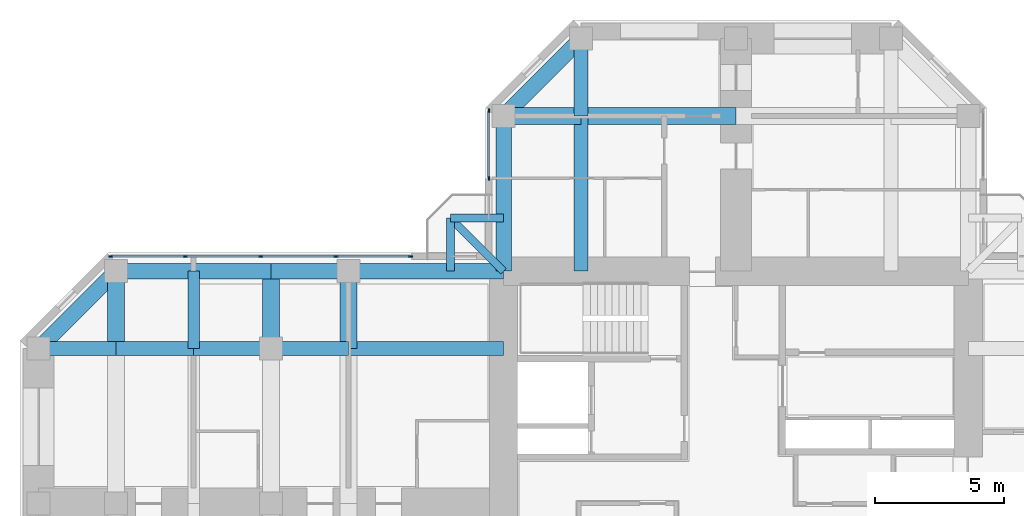
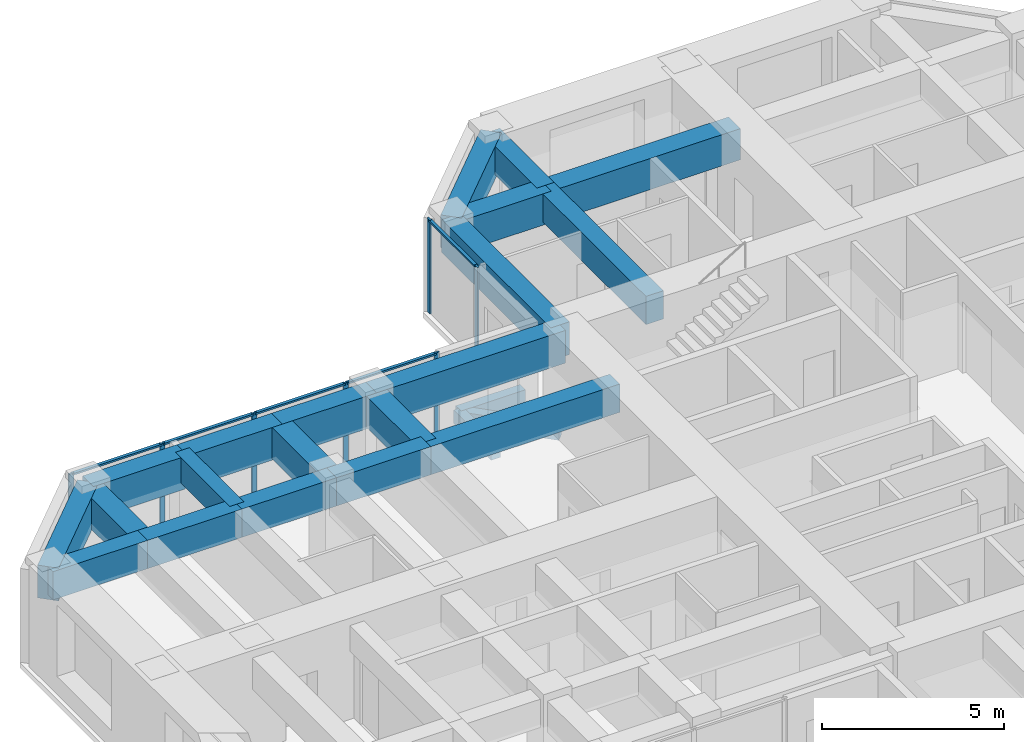
# One storey, part 5 of 14: 23 beams, 12 members, 2 elements without a shape of their own.
"""IFC4 building model written with IfcOpenShell, lengths in metres."""

from ifc_helpers import new_model, si_unit, direction, frame, origin, origin_2d, place, context, subcontext, project, spatial, rectangle, extrude, material, material_profile, profile_set, type_object, element, aggregate, save


model = new_model("IFC4")

# Units and contexts
model_context = context("Model", 3, precision=1e-05, world=origin(), true_north=direction((0.0, 1.0)))
body_context = subcontext(model_context, "Body", "Model", "MODEL_VIEW")
ifc_project = project(units=[si_unit("LENGTHUNIT", "METRE"), si_unit("AREAUNIT", "SQUARE_METRE"), si_unit("VOLUMEUNIT", "CUBIC_METRE"), si_unit("PLANEANGLEUNIT", "RADIAN"), si_unit("MASSUNIT", "GRAM", prefix="KILO")], contexts=[model_context])

# Site, building, storey
site_placement = place(None, origin())
site = spatial("IfcSite", under=ifc_project, at=site_placement, CompositionType="ELEMENT")
building_placement = place(site_placement, origin())
building = spatial("IfcBuilding", under=site, at=building_placement, Name="Torre Cruceta", CompositionType="ELEMENT")
storey_placement = place(building_placement, frame((0.0, 0.0, 213.699951171875)))
storey = spatial("IfcBuildingStorey", under=building, at=storey_placement, Name="L54", CompositionType="ELEMENT", Elevation=213.699951171875)

# Beams
ifc_material_1 = material(Name="Concrete G60 (fck 60 MPa)", Category="concrete")
ifc_material_profile_1 = material_profile(ifc_material_1, rectangle(XDim=0.300048828125, YDim=0.449951171875, at=origin_2d()), Name="RC 300X450")
ifc_profile_set_1 = profile_set([ifc_material_profile_1], Name="Concrete G60 (fck 60 MPa)")
beam_type_1 = type_object("IfcBeamType", Name="BALCONY CANTILEVER BEAM RC 300X450", PredefinedType="BEAM", material=ifc_profile_set_1)
beam_1_placement = place(storey_placement, frame((-9.0, 9.0, -0.405029296875), z_axis=(-0.707106781187, 0.707106781187, 0.0), x_axis=(-0.707106781187, -0.707106781187, 0.0)))
element("IfcBeam", 1, at=beam_1_placement, inside=storey, type_object=beam_type_1, Name="BB1 balcony beam L54 N", PredefinedType="BEAM", context=body_context, shape_type="SweptSolid", body=[
    extrude(rectangle(XDim=0.300048828125, YDim=0.449951171875, at=origin_2d()), origin(), (0.0, 0.0, 1.0), 2.89990234375),
])
for number, where, z_axis, x_axis, name in (
    (2, (-11.050537109375, 9.0, -0.405029296875), (0.0, 1.0, 0.0), (-1.0, 0.0, 0.0), "BB1 balcony edge beam L54 N-X"),
    (3, (-9.0, 11.050537109375, -0.405029296875), (-1.0, 0.0, 0.0), (0.0, -1.0, 0.0), "BB1 balcony edge beam L54 N-Y"),
):
    element("IfcBeam", number, at=place(storey_placement, frame(where, z_axis=z_axis, x_axis=x_axis)), inside=storey, type_object=beam_type_1, Name=name, PredefinedType="BEAM", context=body_context, shape_type="SweptSolid", body=[
        extrude(rectangle(XDim=0.300048828125, YDim=0.449951171875, at=origin_2d()), origin(), (0.0, 0.0, 1.0), 2.050537109375),
    ])
ifc_material_2 = material(Name="Concrete G60 (fck 60 MPa)", Category="concrete")
ifc_material_profile_2 = material_profile(ifc_material_2, rectangle(XDim=0.550048828125, YDim=0.949951171875, at=origin_2d()), Name="RC 550X950")
ifc_profile_set_2 = profile_set([ifc_material_profile_2], Name="Concrete G60 (fck 60 MPa)")
beam_type_2 = type_object("IfcBeamType", Name="COLUMN LINE BEAM RC 550X950", PredefinedType="BEAM", material=ifc_profile_set_2)
beam_2_placement = place(storey_placement, frame((-6.0, 9.0, 2.675048828125), z_axis=(0.0, 1.0, 0.0), x_axis=(-1.0, 0.0, 0.0)))
element("IfcBeam", 4, at=beam_2_placement, inside=storey, type_object=beam_type_2, Name="LB3 L54 N col+ 1", PredefinedType="BEAM", context=body_context, shape_type="SweptSolid", body=[
    extrude(rectangle(XDim=0.550048828125, YDim=0.949951171875, at=origin_2d()), origin(), (0.0, 0.0, 1.0), 6.0),
])
beam_3_placement = place(storey_placement, frame((-6.0, 15.0, 2.675048828125), z_axis=(0.0, 1.0, 0.0), x_axis=(-1.0, 0.0, 0.0)))
element("IfcBeam", 5, at=beam_3_placement, inside=storey, type_object=beam_type_2, Name="LB3 L54 N col+ 2", PredefinedType="BEAM", context=body_context, shape_type="SweptSolid", body=[
    extrude(rectangle(XDim=0.550048828125, YDim=0.949951171875, at=origin_2d()), origin(), (0.0, 0.0, 1.0), 3.0),
])
beam_4_placement = place(storey_placement, frame((-9.0, 6.0, 2.675048828125), z_axis=(-1.0, 0.0, 0.0), x_axis=(0.0, -1.0, 0.0)))
element("IfcBeam", 6, at=beam_4_placement, inside=storey, type_object=beam_type_2, Name="LB3 L54 W col- 1", PredefinedType="BEAM", context=body_context, shape_type="SweptSolid", body=[
    extrude(rectangle(XDim=0.550048828125, YDim=0.949951171875, at=origin_2d()), origin(), (0.0, 0.0, 1.0), 6.0),
])
for number, where, z_axis, x_axis, name in (
    (7, (-15.0, 6.0, 2.675048828125), (-1.0, 0.0, 0.0), (0.0, -1.0, 0.0), "LB3 L54 W col- 2"),
    (8, (-18.0, 6.0, 2.675048828125), (-1.0, 0.0, 0.0), (0.0, -1.0, 0.0), "LB3 L54 W col- 3"),
    (9, (-21.0, 6.0, 2.675048828125), (-1.0, 0.0, 0.0), (0.0, -1.0, 0.0), "LB3 L54 W col- 4"),
    (10, (-24.0, 6.0, 2.675048828125), (-1.0, 0.0, 0.0), (0.0, -1.0, 0.0), "LB3 L54 W col- 5"),
):
    element("IfcBeam", number, at=place(storey_placement, frame(where, z_axis=z_axis, x_axis=x_axis)), inside=storey, type_object=beam_type_2, Name=name, PredefinedType="BEAM", context=body_context, shape_type="SweptSolid", body=[
        extrude(rectangle(XDim=0.550048828125, YDim=0.949951171875, at=origin_2d()), origin(), (0.0, 0.0, 1.0), 3.0),
    ])
ifc_material_3 = material(Name="Concrete G60 (fck 60 MPa)", Category="concrete")
ifc_material_profile_3 = material_profile(ifc_material_3, rectangle(XDim=0.64990234375, YDim=1.050048828125, at=origin_2d()), Name="RC 650X1050")
ifc_profile_set_3 = profile_set([ifc_material_profile_3], Name="Concrete G60 (fck 60 MPa)")
beam_type_3 = type_object("IfcBeamType", Name="CROSS BEAM RC 650X1050", PredefinedType="BEAM", material=ifc_profile_set_3)
beam_5_placement = place(storey_placement, frame((0.0, 15.0, 2.625), z_axis=(-1.0, 0.0, 0.0), x_axis=(0.0, -1.0, 0.0)))
element("IfcBeam", 11, at=beam_5_placement, inside=storey, type_object=beam_type_3, Name="GB3 L54 N cross15 3", PredefinedType="BEAM", context=body_context, shape_type="SweptSolid", body=[
    extrude(rectangle(XDim=0.64990234375, YDim=1.050048828125, at=origin_2d()), origin(), (0.0, 0.0, 1.0), 6.0),
])
for number, where, z_axis, x_axis, name in (
    (12, (-6.0, 15.0, 2.625), (-1.0, 0.0, 0.0), (0.0, -1.0, 0.0), "GB3 L54 N cross15 4"),
    (13, (-15.0, 9.0, 2.625), (0.0, -1.0, 0.0), (1.0, 0.0, 0.0), "GB3 L54 W cross15 1"),
    (14, (-18.0, 9.0, 2.625), (0.0, -1.0, 0.0), (1.0, 0.0, 0.0), "GB3 L54 W cross18 1"),
    (15, (-24.0, 9.0, 2.625), (0.0, -1.0, 0.0), (1.0, 0.0, 0.0), "GB3 L54 W cross24 1"),
):
    element("IfcBeam", number, at=place(storey_placement, frame(where, z_axis=z_axis, x_axis=x_axis)), inside=storey, type_object=beam_type_3, Name=name, PredefinedType="BEAM", context=body_context, shape_type="SweptSolid", body=[
        extrude(rectangle(XDim=0.64990234375, YDim=1.050048828125, at=origin_2d()), origin(), (0.0, 0.0, 1.0), 3.0),
    ])

# Curtain wall, members
ifc_material_4 = material(Name="Aluminium unitised curtain wall", Category="aluminium")
curtain_wall_type = type_object("IfcCurtainWallType", Name="CURTAIN WALL CW-C CO-LIVING", PredefinedType="USERDEFINED", material=ifc_material_4)
curtain_wall_1_placement = place(storey_placement, origin())
curtain_wall_1 = element("IfcCurtainWall", 16, at=curtain_wall_1_placement, inside=storey, type_object=curtain_wall_type, Name="CW-C L54 N side 09", ObjectType="UNITISED", PredefinedType="USERDEFINED")
ifc_material_5 = material(Name="Aluminium mullion", Category="aluminium")
ifc_material_profile_4 = material_profile(ifc_material_5, rectangle(XDim=0.06005859375, YDim=0.159912109375, at=origin_2d()), Name="AL 60X160")
ifc_profile_set_4 = profile_set([ifc_material_profile_4], Name="Aluminium mullion")
member_type_1 = type_object("IfcMemberType", Name="CW-C MULLION 60X160", PredefinedType="MULLION", material=ifc_profile_set_4)
member_1_placement = place(storey_placement, frame((-9.570068359375, 15.2060546875, 0.0), z_axis=(0.0, 0.0, 1.0), x_axis=(1.0, 0.0, 0.0)))
member_1 = element("IfcMember", 17, at=member_1_placement, type_object=member_type_1, Name="CW-C mullion 1", PredefinedType="MULLION", context=body_context, shape_type="SweptSolid", body=[
    extrude(rectangle(XDim=0.06005859375, YDim=0.159912109375, at=origin_2d()), origin(), (0.0, 0.0, 1.0), 3.150146484375),
])
member_2_placement = place(storey_placement, frame((-9.570068359375, 12.60009765625, 0.0), z_axis=(0.0, 0.0, 1.0), x_axis=(1.0, 0.0, 0.0)))
member_2 = element("IfcMember", 18, at=member_2_placement, type_object=member_type_1, Name="CW-C mullion 2", PredefinedType="MULLION", context=body_context, shape_type="SweptSolid", body=[
    extrude(rectangle(XDim=0.06005859375, YDim=0.159912109375, at=origin_2d()), origin(), (0.0, 0.0, 1.0), 3.150146484375),
])

curtain_wall_2_placement = place(storey_placement, origin())
curtain_wall_2 = element("IfcCurtainWall", 19, at=curtain_wall_2_placement, inside=storey, type_object=curtain_wall_type, Name="CW-C L54 W side 10", ObjectType="UNITISED", PredefinedType="USERDEFINED")
member_3_placement = place(storey_placement, frame((-12.60009765625, 9.570068359375, 0.0), z_axis=(0.0, 0.0, 1.0), x_axis=(0.0, -1.0, 0.0)))
member_3 = element("IfcMember", 20, at=member_3_placement, type_object=member_type_1, Name="CW-C mullion 1", PredefinedType="MULLION", context=body_context, shape_type="SweptSolid", body=[
    extrude(rectangle(XDim=0.06005859375, YDim=0.159912109375, at=origin_2d()), origin(), (0.0, 0.0, 1.0), 3.150146484375),
])
member_4_placement = place(storey_placement, frame((-15.486572265625, 9.570068359375, 0.0), z_axis=(0.0, 0.0, 1.0), x_axis=(0.0, -1.0, 0.0)))
member_4 = element("IfcMember", 21, at=member_4_placement, type_object=member_type_1, Name="CW-C mullion 2", PredefinedType="MULLION", context=body_context, shape_type="SweptSolid", body=[
    extrude(rectangle(XDim=0.06005859375, YDim=0.159912109375, at=origin_2d()), origin(), (0.0, 0.0, 1.0), 3.150146484375),
])
member_5_placement = place(storey_placement, frame((-18.403076171875, 9.570068359375, 0.0), z_axis=(0.0, 0.0, 1.0), x_axis=(0.0, -1.0, 0.0)))
member_5 = element("IfcMember", 22, at=member_5_placement, type_object=member_type_1, Name="CW-C mullion 3", PredefinedType="MULLION", context=body_context, shape_type="SweptSolid", body=[
    extrude(rectangle(XDim=0.06005859375, YDim=0.159912109375, at=origin_2d()), origin(), (0.0, 0.0, 1.0), 3.150146484375),
])
member_6_placement = place(storey_placement, frame((-21.319580078125, 9.570068359375, 0.0), z_axis=(0.0, 0.0, 1.0), x_axis=(0.0, -1.0, 0.0)))
member_6 = element("IfcMember", 23, at=member_6_placement, type_object=member_type_1, Name="CW-C mullion 4", PredefinedType="MULLION", context=body_context, shape_type="SweptSolid", body=[
    extrude(rectangle(XDim=0.06005859375, YDim=0.159912109375, at=origin_2d()), origin(), (0.0, 0.0, 1.0), 3.150146484375),
])
member_7_placement = place(storey_placement, frame((-24.2060546875, 9.570068359375, 0.0), z_axis=(0.0, 0.0, 1.0), x_axis=(0.0, -1.0, 0.0)))
member_7 = element("IfcMember", 24, at=member_7_placement, type_object=member_type_1, Name="CW-C mullion 5", PredefinedType="MULLION", context=body_context, shape_type="SweptSolid", body=[
    extrude(rectangle(XDim=0.06005859375, YDim=0.159912109375, at=origin_2d()), origin(), (0.0, 0.0, 1.0), 3.150146484375),
])

# Member
ifc_material_6 = material(Name="Aluminium transom", Category="aluminium")
ifc_material_profile_5 = material_profile(ifc_material_6, rectangle(XDim=0.10009765625, YDim=0.06005859375, at=origin_2d()), Name="AL 100X60")
ifc_profile_set_5 = profile_set([ifc_material_profile_5], Name="Aluminium transom")
member_type_2 = type_object("IfcMemberType", Name="CW-C TRANSOM 60X100", PredefinedType="USERDEFINED", material=ifc_profile_set_5)
member_8_placement = place(storey_placement, frame((-9.570068359375, 15.176025390625, 3.1201171875), z_axis=(0.0, -1.0, 0.0), x_axis=(1.0, 0.0, 0.0)))
member_8 = element("IfcMember", 25, at=member_8_placement, type_object=member_type_2, Name="CW-C transom 1", ObjectType="TRANSOM", PredefinedType="USERDEFINED", context=body_context, shape_type="SweptSolid", body=[
    extrude(rectangle(XDim=0.10009765625, YDim=0.06005859375, at=origin_2d()), origin(), (0.0, 0.0, 1.0), 2.546142578125),
])

aggregate(curtain_wall_1, [member_1, member_2, member_8])

member_9_placement = place(storey_placement, frame((-12.6298828125, 9.570068359375, 3.1201171875), z_axis=(-1.0, 0.0, 0.0), x_axis=(0.0, -1.0, 0.0)))
member_9 = element("IfcMember", 26, at=member_9_placement, type_object=member_type_2, Name="CW-C transom 1", ObjectType="TRANSOM", PredefinedType="USERDEFINED", context=body_context, shape_type="SweptSolid", body=[
    extrude(rectangle(XDim=0.10009765625, YDim=0.06005859375, at=origin_2d()), origin(), (0.0, 0.0, 1.0), 2.82666015625),
])

member_10_placement = place(storey_placement, frame((-15.5166015625, 9.570068359375, 3.1201171875), z_axis=(-1.0, 0.0, 0.0), x_axis=(0.0, -1.0, 0.0)))
member_10 = element("IfcMember", 27, at=member_10_placement, type_object=member_type_2, Name="CW-C transom 2", ObjectType="TRANSOM", PredefinedType="USERDEFINED", context=body_context, shape_type="SweptSolid", body=[
    extrude(rectangle(XDim=0.10009765625, YDim=0.06005859375, at=origin_2d()), origin(), (0.0, 0.0, 1.0), 2.8564453125),
])

member_11_placement = place(storey_placement, frame((-18.43310546875, 9.570068359375, 3.1201171875), z_axis=(-1.0, 0.0, 0.0), x_axis=(0.0, -1.0, 0.0)))
member_11 = element("IfcMember", 28, at=member_11_placement, type_object=member_type_2, Name="CW-C transom 3", ObjectType="TRANSOM", PredefinedType="USERDEFINED", context=body_context, shape_type="SweptSolid", body=[
    extrude(rectangle(XDim=0.10009765625, YDim=0.06005859375, at=origin_2d()), origin(), (0.0, 0.0, 1.0), 2.8564453125),
])

member_12_placement = place(storey_placement, frame((-21.349609375, 9.570068359375, 3.1201171875), z_axis=(-1.0, 0.0, 0.0), x_axis=(0.0, -1.0, 0.0)))
member_12 = element("IfcMember", 29, at=member_12_placement, type_object=member_type_2, Name="CW-C transom 4", ObjectType="TRANSOM", PredefinedType="USERDEFINED", context=body_context, shape_type="SweptSolid", body=[
    extrude(rectangle(XDim=0.10009765625, YDim=0.06005859375, at=origin_2d()), origin(), (0.0, 0.0, 1.0), 2.826416015625),
])

aggregate(curtain_wall_2, [member_3, member_4, member_5, member_6, member_7, member_9, member_10, member_11, member_12])

# Beams
ifc_material_7 = material(Name="Concrete G60 (fck 60 MPa)", Category="concrete")
ifc_material_profile_6 = material_profile(ifc_material_7, rectangle(XDim=0.449951171875, YDim=0.85009765625, at=origin_2d()), Name="RC 450X850")
ifc_profile_set_6 = profile_set([ifc_material_profile_6], Name="Concrete G60 (fck 60 MPa)")
beam_type_4 = type_object("IfcBeamType", Name="SECONDARY BEAM RC 450X850", PredefinedType="JOIST", material=ifc_profile_set_6)
beam_6_placement = place(storey_placement, frame((-21.0, 9.0, 2.72509765625), z_axis=(0.0, -1.0, 0.0), x_axis=(1.0, 0.0, 0.0)))
element("IfcBeam", 30, at=beam_6_placement, inside=storey, type_object=beam_type_4, Name="JB4 L54 W sec21 1", PredefinedType="JOIST", context=body_context, shape_type="SweptSolid", body=[
    extrude(rectangle(XDim=0.449951171875, YDim=0.85009765625, at=origin_2d()), origin(), (0.0, 0.0, 1.0), 3.0),
])
ifc_material_8 = material(Name="Concrete G60 (fck 60 MPa)", Category="concrete")
ifc_material_profile_7 = material_profile(ifc_material_8, rectangle(XDim=0.60009765625, YDim=1.10009765625, at=origin_2d()), Name="RC 600X1100")
ifc_profile_set_7 = profile_set([ifc_material_profile_7], Name="Concrete G60 (fck 60 MPa)")
beam_type_5 = type_object("IfcBeamType", Name="SPANDREL BEAM RC 600X1100", PredefinedType="SPANDREL", material=ifc_profile_set_7)
beam_7_placement = place(storey_placement, frame((-9.0, 9.0, 2.60009765625), z_axis=(0.0, 1.0, 0.0), x_axis=(-1.0, 0.0, 0.0)))
element("IfcBeam", 31, at=beam_7_placement, inside=storey, type_object=beam_type_5, Name="SB2 L54 N side+ 1", PredefinedType="SPANDREL", context=body_context, shape_type="SweptSolid", body=[
    extrude(rectangle(XDim=0.60009765625, YDim=1.10009765625, at=origin_2d()), origin(), (0.0, 0.0, 1.0), 6.0),
])
beam_8_placement = place(storey_placement, frame((-9.0, 15.0, 2.60009765625), z_axis=(0.707106781187, 0.707106781187, 0.0), x_axis=(-0.707106781187, 0.707106781187, 0.0)))
element("IfcBeam", 32, at=beam_8_placement, inside=storey, type_object=beam_type_5, Name="SB2 L54 N side+ 2", PredefinedType="SPANDREL", context=body_context, shape_type="SweptSolid", body=[
    extrude(rectangle(XDim=0.60009765625, YDim=1.10009765625, at=origin_2d()), origin(), (0.0, 0.0, 1.0), 4.24267578125),
])
beam_9_placement = place(storey_placement, frame((-9.0, 9.0, 2.60009765625), z_axis=(-1.0, 0.0, 0.0), x_axis=(0.0, -1.0, 0.0)))
element("IfcBeam", 33, at=beam_9_placement, inside=storey, type_object=beam_type_5, Name="SB2 L54 W side- 1", PredefinedType="SPANDREL", context=body_context, shape_type="SweptSolid", body=[
    extrude(rectangle(XDim=0.60009765625, YDim=1.10009765625, at=origin_2d()), origin(), (0.0, 0.0, 1.0), 6.0),
])
for number, where, z_axis, x_axis, name in (
    (34, (-15.0, 9.0, 2.60009765625), (-1.0, 0.0, 0.0), (0.0, -1.0, 0.0), "SB2 L54 W side- 2"),
    (35, (-18.0, 9.0, 2.60009765625), (-1.0, 0.0, 0.0), (0.0, -1.0, 0.0), "SB2 L54 W side- 3"),
    (36, (-21.0, 9.0, 2.60009765625), (-1.0, 0.0, 0.0), (0.0, -1.0, 0.0), "SB2 L54 W side- 4"),
):
    element("IfcBeam", number, at=place(storey_placement, frame(where, z_axis=z_axis, x_axis=x_axis)), inside=storey, type_object=beam_type_5, Name=name, PredefinedType="SPANDREL", context=body_context, shape_type="SweptSolid", body=[
        extrude(rectangle(XDim=0.60009765625, YDim=1.10009765625, at=origin_2d()), origin(), (0.0, 0.0, 1.0), 3.0),
    ])
beam_10_placement = place(storey_placement, frame((-24.0, 9.0, 2.60009765625), z_axis=(-0.707106781187, -0.707106781187, 0.0), x_axis=(0.707106781187, -0.707106781187, 0.0)))
element("IfcBeam", 37, at=beam_10_placement, inside=storey, type_object=beam_type_5, Name="SB2 L54 W side- 5", PredefinedType="SPANDREL", context=body_context, shape_type="SweptSolid", body=[
    extrude(rectangle(XDim=0.60009765625, YDim=1.10009765625, at=origin_2d()), origin(), (0.0, 0.0, 1.0), 4.24267578125),
])

save(model, "model.ifc")
